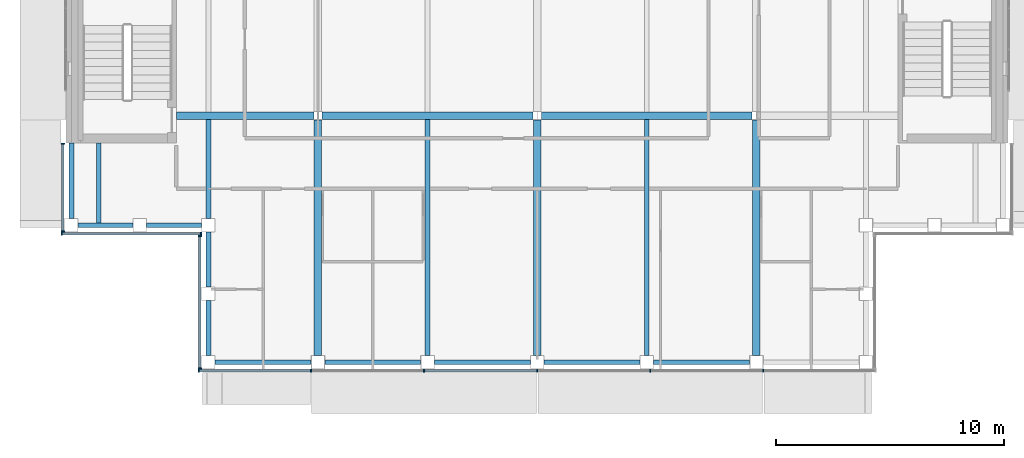
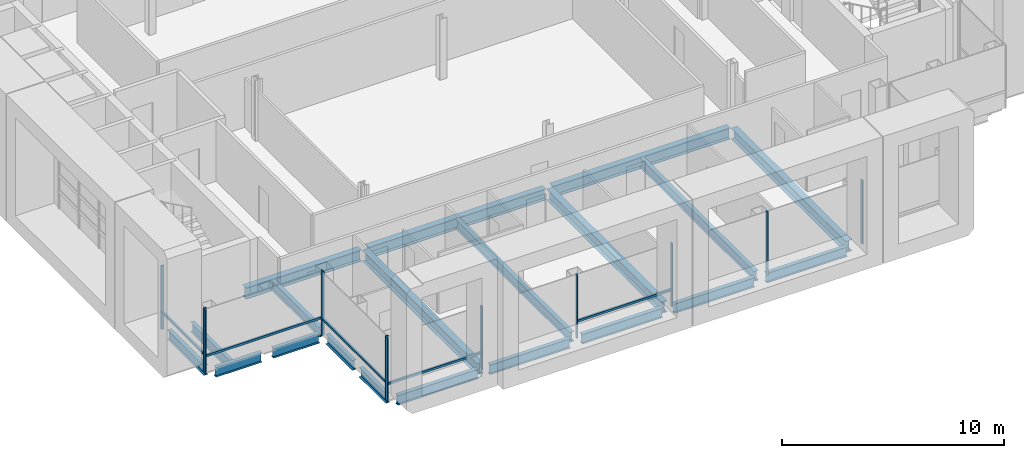
# One storey, part 3 of 21: 20 beams, 17 members, 4 elements without a shape of their own.
"""IFC4 building model written with IfcOpenShell, lengths in metres."""

import ifcopenshell
import ifcopenshell.guid

model = None  # the IFC model being written
_history = None  # IfcOwnerHistory: only IFC2X3 demands one
_inside = {}  # id of a spatial element -> (the spatial element, [elements in it])
_under = {}  # id of a project, library or spatial element -> (it, [spatial elements below it])
_declared = {}  # id of a project -> (the project, [libraries it declares])
_typed = {}  # id of a type object -> (the type object, [elements of that type])
_made_of = {}  # id of a material, layer set ... -> (it, [elements and type objects made of it])


def new_model(schema):
    """Start an empty IFC model of exactly this schema.

    Asked for "IFC4X3", IfcOpenShell would pick the latest addendum, in which some entities
    have other attributes; the version numbers below select the first issue.
    IFC2X3 requires an IfcOwnerHistory on every rooted entity: one is made here for all.
    """
    global model, _history
    if schema == "IFC4X3":
        model = ifcopenshell.file(schema_version=(4, 3, 0, 0))
    else:
        model = ifcopenshell.file(schema=schema)
    _inside.clear()
    _under.clear()
    _declared.clear()
    _typed.clear()
    _made_of.clear()
    _history = None
    if model.schema == "IFC2X3":
        org = make("IfcOrganization", Name="unknown")
        user = make(
            "IfcPersonAndOrganization",
            ThePerson=make("IfcPerson", FamilyName="unknown"),
            TheOrganization=org,
        )
        app = make(
            "IfcApplication",
            ApplicationDeveloper=org,
            Version="unknown",
            ApplicationFullName="unknown",
            ApplicationIdentifier="unknown",
        )
        _history = make(
            "IfcOwnerHistory",
            OwningUser=user,
            OwningApplication=app,
            ChangeAction="ADDED",
            CreationDate=0,
        )
    return model


def make(cls, **values):
    """One entity of the class cls with the attributes given. An attribute that is None is left unset."""
    return model.create_entity(
        cls, **{name: value for name, value in values.items() if value is not None}
    )


def rooted(cls, **values):
    """An entity with a GlobalId (a new one), such as an element, a storey or a relation."""
    return make(cls, GlobalId=ifcopenshell.guid.new(), OwnerHistory=_history, **values)


def si_unit(unit_type, name, prefix=None):
    """IfcSIUnit, for example si_unit("LENGTHUNIT", "METRE", prefix="MILLI")."""
    return make("IfcSIUnit", UnitType=unit_type, Prefix=prefix, Name=name)


def assignment(units):
    """IfcUnitAssignment: the units of a project."""
    return None if units is None else make("IfcUnitAssignment", Units=units)


def point(xyz):
    """IfcCartesianPoint."""
    return None if xyz is None else make("IfcCartesianPoint", Coordinates=xyz)


def direction(xyz):
    """IfcDirection."""
    return None if xyz is None else make("IfcDirection", DirectionRatios=xyz)


def frame(location, z_axis=None, x_axis=None):
    """IfcAxis2Placement3D, a coordinate frame: its origin and axes. An axis left out is left unset."""
    return make(
        "IfcAxis2Placement3D",
        Location=point(location),
        Axis=direction(z_axis),
        RefDirection=direction(x_axis),
    )


def frame_2d(location, x_axis=None):
    """IfcAxis2Placement2D, a coordinate frame in the plane: its origin and x axis."""
    return make(
        "IfcAxis2Placement2D", Location=point(location), RefDirection=direction(x_axis)
    )


def origin():
    """The frame at (0, 0, 0) with its axes left unset."""
    return frame((0.0, 0.0, 0.0))


def origin_2d():
    """The frame at (0, 0) in the plane with its x axis left unset."""
    return frame_2d((0.0, 0.0))


def place(relative_to, where):
    """IfcLocalPlacement: puts the frame where relative to a parent placement (None: the world)."""
    return make(
        "IfcLocalPlacement", PlacementRelTo=relative_to, RelativePlacement=where
    )


def context(
    kind, dimensions, precision=None, world=None, true_north=None, identifier=None
):
    """IfcGeometricRepresentationContext, for example the 3D "Model" context."""
    return make(
        "IfcGeometricRepresentationContext",
        ContextIdentifier=identifier,
        ContextType=kind,
        CoordinateSpaceDimension=dimensions,
        Precision=precision,
        WorldCoordinateSystem=world,
        TrueNorth=true_north,
    )


def subcontext(parent, identifier, kind, view, scale=None):
    """IfcGeometricRepresentationSubContext, for example "Body" below "Model"."""
    return make(
        "IfcGeometricRepresentationSubContext",
        ContextIdentifier=identifier,
        ContextType=kind,
        ParentContext=parent,
        TargetScale=scale,
        TargetView=view,
    )


def project(units=None, contexts=None):
    """IfcProject with its units and contexts."""
    return rooted(
        "IfcProject",
        Name="project",
        RepresentationContexts=contexts,
        UnitsInContext=assignment(units),
    )


def spatial(cls, under=None, at=None, **own):
    """A site, building, storey or space (cls), placed at a placement, below another one or the project."""
    s = rooted(cls, ObjectPlacement=at, **own)
    if under is not None:
        _under.setdefault(under.id(), (under, []))[1].append(s)
    return s


def profile(cls, at=None, kind="AREA", **sizes):
    """A parametric profile (cls). Its sizes go by their IFC names, for example OverallWidth=200.0."""
    return make(cls, ProfileType=kind, Position=at, **sizes)


def rectangle(**sizes):
    """IfcRectangleProfileDef."""
    return profile("IfcRectangleProfileDef", **sizes)


def i_section(**sizes):
    """IfcIShapeProfileDef."""
    return profile("IfcIShapeProfileDef", **sizes)


def extrude(swept, where, along, depth):
    """IfcExtrudedAreaSolid: the profile swept, set in the frame where, extruded along a direction by depth."""
    return make(
        "IfcExtrudedAreaSolid",
        SweptArea=swept,
        Position=where,
        ExtrudedDirection=direction(along),
        Depth=depth,
    )


def shape(context_of_items, identifier, shape_type, items):
    """IfcShapeRepresentation: the items that make up one representation, for example the "Body"."""
    return make(
        "IfcShapeRepresentation",
        ContextOfItems=context_of_items,
        RepresentationIdentifier=identifier,
        RepresentationType=shape_type,
        Items=items,
    )


def material(Name=None, Category=None):
    """IfcMaterial."""
    return make("IfcMaterial", Name=Name, Category=Category)


def material_profile(
    of_material, cross_section, Name=None, Category=None, Priority=None
):
    """IfcMaterialProfile: a cross section and its material."""
    return make(
        "IfcMaterialProfile",
        Name=Name,
        Material=of_material,
        Profile=cross_section,
        Priority=Priority,
        Category=Category,
    )


def profile_set(profiles, Name=None, composite=None):
    """IfcMaterialProfileSet."""
    return make(
        "IfcMaterialProfileSet",
        Name=Name,
        MaterialProfiles=profiles,
        CompositeProfile=composite,
    )


def made_of(thing, what):
    """Note that an element or type object is made of a material, layer set ...; save() writes the relation."""
    if what is not None:
        _made_of.setdefault(what.id(), (what, []))[1].append(thing)
    return thing


def type_object(cls, material=None, **own):
    """A type object (cls), such as IfcWallType, which elements share."""
    return made_of(rooted(cls, **own), material)


def element(
    cls,
    number,
    at=None,
    inside=None,
    cuts=None,
    type_object=None,
    material=None,
    context=None,
    identifier="Body",
    shape_type=None,
    held_by="IfcProductDefinitionShape",
    body=None,
    shapes=None,
    **own,
):
    """One element of the class cls, such as IfcWall. Its Tag is "e" and its number.

    at: its placement. inside: the storey or other place that contains it. cuts: it is an
    opening in that element (IfcRelVoidsElement). A single representation is given by context,
    identifier, shape_type and body (its items); several are given by shapes. held_by: the class
    of the entity that holds the representations. save() writes the other relations.
    """
    e = rooted(cls, Tag="e%d" % number, ObjectPlacement=at, **own)
    if body is not None:
        shapes = [shape(context, identifier, shape_type, body)]
    if shapes is not None:
        e.Representation = make(held_by, Representations=shapes)
    if inside is not None:
        _inside.setdefault(inside.id(), (inside, []))[1].append(e)
    if cuts is not None:
        rooted(
            "IfcRelVoidsElement", RelatingBuildingElement=cuts, RelatedOpeningElement=e
        )
    if type_object is not None:
        _typed.setdefault(type_object.id(), (type_object, []))[1].append(e)
    return made_of(e, material)


def aggregate(whole, parts):
    """IfcRelAggregates: a whole, such as a stair, and the parts it consists of."""
    return rooted("IfcRelAggregates", RelatingObject=whole, RelatedObjects=parts)


def save(model, path):
    """Write the relations noted so far, then the file.

    IfcRelAggregates (storeys below a building ...), IfcRelContainedInSpatialStructure (elements
    in a storey), IfcRelDefinesByType, IfcRelAssociatesMaterial and IfcRelDeclares: one each for
    every whole, place, type object, material and project.
    """
    for whole, parts in _under.values():
        aggregate(whole, parts)
    for where, things in _inside.values():
        rooted(
            "IfcRelContainedInSpatialStructure",
            RelatedElements=things,
            RelatingStructure=where,
        )
    for kind, things in _typed.values():
        rooted("IfcRelDefinesByType", RelatedObjects=things, RelatingType=kind)
    for what, things in _made_of.values():
        rooted("IfcRelAssociatesMaterial", RelatedObjects=things, RelatingMaterial=what)
    for by, libraries in _declared.values():
        rooted("IfcRelDeclares", RelatingContext=by, RelatedDefinitions=libraries)
    model.write(path)


model = new_model("IFC4")

# Units and contexts
model_context = context("Model", 3, precision=1e-05, world=origin(), true_north=direction((0.0, 1.0)))
body_context = subcontext(model_context, "Body", "Model", "MODEL_VIEW")
ifc_project = project(units=[si_unit("LENGTHUNIT", "METRE"), si_unit("AREAUNIT", "SQUARE_METRE"), si_unit("VOLUMEUNIT", "CUBIC_METRE"), si_unit("PLANEANGLEUNIT", "RADIAN"), si_unit("MASSUNIT", "GRAM", prefix="KILO")], contexts=[model_context])

# Site, building, storey
site_placement = place(None, origin())
site = spatial("IfcSite", under=ifc_project, at=site_placement, CompositionType="ELEMENT")
building_placement = place(site_placement, origin())
building = spatial("IfcBuilding", under=site, at=building_placement, Name="Cobrizo Arcos Hotel Tower", CompositionType="ELEMENT")
storey_placement = place(building_placement, frame((0.0, 0.0, 248.0)))
storey = spatial("IfcBuildingStorey", under=building, at=storey_placement, Name="L65", CompositionType="ELEMENT", Elevation=248.0)

# Curtain wall, members
ifc_material_1 = material(Name="Aluminium 6063-T6 anodised bronze", Category="aluminium")
curtain_wall_type = type_object("IfcCurtainWallType", Name="CW-A guest facade", PredefinedType="NOTDEFINED", material=ifc_material_1)
curtain_wall_1_placement = place(storey_placement, origin())
curtain_wall_1 = element("IfcCurtainWall", 1, at=curtain_wall_1_placement, inside=storey, type_object=curtain_wall_type, Name="CW-A L65 S face", PredefinedType="NOTDEFINED")
ifc_material_profile_1 = material_profile(ifc_material_1, rectangle(XDim=0.14990234375, YDim=0.06005859375, at=origin_2d()), Name="CW-A mullion 150x60")
ifc_profile_set_1 = profile_set([ifc_material_profile_1], Name="Aluminium 6063-T6 anodised bronze")
member_type_1 = type_object("IfcMemberType", Name="CW-A mullion 150x60", PredefinedType="MULLION", material=ifc_profile_set_1)
member_1_placement = place(storey_placement, frame((-14.820068359375, -20.77490234375, 0.0), z_axis=(0.0, 0.0, 1.0), x_axis=(0.0, -1.0, 0.0)))
member_1 = element("IfcMember", 2, at=member_1_placement, type_object=member_type_1, Name="CW-A mullion 1", PredefinedType="MULLION", context=body_context, shape_type="SweptSolid", body=[
    extrude(rectangle(XDim=0.14990234375, YDim=0.06005859375, at=origin_2d()), origin(), (0.0, 0.0, 1.0), 3.5),
])
member_2_placement = place(storey_placement, frame((-9.89990234375, -20.77490234375, 0.0), z_axis=(0.0, 0.0, 1.0), x_axis=(0.0, -1.0, 0.0)))
member_2 = element("IfcMember", 3, at=member_2_placement, type_object=member_type_1, Name="CW-A mullion 2", PredefinedType="MULLION", context=body_context, shape_type="SweptSolid", body=[
    extrude(rectangle(XDim=0.14990234375, YDim=0.06005859375, at=origin_2d()), origin(), (0.0, 0.0, 1.0), 3.5),
])
member_3_placement = place(storey_placement, frame((-4.949951171875, -20.77490234375, 0.0), z_axis=(0.0, 0.0, 1.0), x_axis=(0.0, -1.0, 0.0)))
member_3 = element("IfcMember", 4, at=member_3_placement, type_object=member_type_1, Name="CW-A mullion 3", PredefinedType="MULLION", context=body_context, shape_type="SweptSolid", body=[
    extrude(rectangle(XDim=0.14990234375, YDim=0.06005859375, at=origin_2d()), origin(), (0.0, 0.0, 1.0), 3.5),
])
member_4_placement = place(storey_placement, frame((0.0, -20.77490234375, 0.0), z_axis=(0.0, 0.0, 1.0), x_axis=(0.0, -1.0, 0.0)))
member_4 = element("IfcMember", 5, at=member_4_placement, type_object=member_type_1, Name="CW-A mullion 4", PredefinedType="MULLION", context=body_context, shape_type="SweptSolid", body=[
    extrude(rectangle(XDim=0.14990234375, YDim=0.06005859375, at=origin_2d()), origin(), (0.0, 0.0, 1.0), 3.5),
])
member_5_placement = place(storey_placement, frame((4.949951171875, -20.77490234375, 0.0), z_axis=(0.0, 0.0, 1.0), x_axis=(0.0, -1.0, 0.0)))
member_5 = element("IfcMember", 6, at=member_5_placement, type_object=member_type_1, Name="CW-A mullion 5", PredefinedType="MULLION", context=body_context, shape_type="SweptSolid", body=[
    extrude(rectangle(XDim=0.14990234375, YDim=0.06005859375, at=origin_2d()), origin(), (0.0, 0.0, 1.0), 3.5),
])
member_6_placement = place(storey_placement, frame((9.89990234375, -20.77490234375, 0.0), z_axis=(0.0, 0.0, 1.0), x_axis=(0.0, -1.0, 0.0)))
member_6 = element("IfcMember", 7, at=member_6_placement, type_object=member_type_1, Name="CW-A mullion 6", PredefinedType="MULLION", context=body_context, shape_type="SweptSolid", body=[
    extrude(rectangle(XDim=0.14990234375, YDim=0.06005859375, at=origin_2d()), origin(), (0.0, 0.0, 1.0), 3.5),
])

curtain_wall_2_placement = place(storey_placement, origin())
curtain_wall_2 = element("IfcCurtainWall", 8, at=curtain_wall_2_placement, inside=storey, type_object=curtain_wall_type, Name="CW-A L65 W face", PredefinedType="NOTDEFINED")
member_7_placement = place(storey_placement, frame((-20.77490234375, -10.830078125, 0.0), z_axis=(0.0, 0.0, 1.0), x_axis=(-1.0, 0.0, 0.0)))
member_7 = element("IfcMember", 9, at=member_7_placement, type_object=member_type_1, Name="CW-A mullion 1", PredefinedType="MULLION", context=body_context, shape_type="SweptSolid", body=[
    extrude(rectangle(XDim=0.14990234375, YDim=0.06005859375, at=origin_2d()), origin(), (0.0, 0.0, 1.0), 3.5),
])
member_8_placement = place(storey_placement, frame((-20.77490234375, -14.669921875, 0.0), z_axis=(0.0, 0.0, 1.0), x_axis=(-1.0, 0.0, 0.0)))
member_8 = element("IfcMember", 10, at=member_8_placement, type_object=member_type_1, Name="CW-A mullion 2", PredefinedType="MULLION", context=body_context, shape_type="SweptSolid", body=[
    extrude(rectangle(XDim=0.14990234375, YDim=0.06005859375, at=origin_2d()), origin(), (0.0, 0.0, 1.0), 3.5),
])

curtain_wall_3_placement = place(storey_placement, origin())
curtain_wall_3 = element("IfcCurtainWall", 11, at=curtain_wall_3_placement, inside=storey, type_object=curtain_wall_type, Name="CW-A L65 S face", PredefinedType="NOTDEFINED")
member_9_placement = place(storey_placement, frame((-20.820068359375, -14.77490234375, 0.0), z_axis=(0.0, 0.0, 1.0), x_axis=(0.0, -1.0, 0.0)))
member_9 = element("IfcMember", 12, at=member_9_placement, type_object=member_type_1, Name="CW-A mullion 1", PredefinedType="MULLION", context=body_context, shape_type="SweptSolid", body=[
    extrude(rectangle(XDim=0.14990234375, YDim=0.06005859375, at=origin_2d()), origin(), (0.0, 0.0, 1.0), 3.5),
])
member_10_placement = place(storey_placement, frame((-14.72998046875, -14.77490234375, 0.0), z_axis=(0.0, 0.0, 1.0), x_axis=(0.0, -1.0, 0.0)))
member_10 = element("IfcMember", 13, at=member_10_placement, type_object=member_type_1, Name="CW-A mullion 2", PredefinedType="MULLION", context=body_context, shape_type="SweptSolid", body=[
    extrude(rectangle(XDim=0.14990234375, YDim=0.06005859375, at=origin_2d()), origin(), (0.0, 0.0, 1.0), 3.5),
])

curtain_wall_4_placement = place(storey_placement, origin())
curtain_wall_4 = element("IfcCurtainWall", 14, at=curtain_wall_4_placement, inside=storey, type_object=curtain_wall_type, Name="CW-A L65 W face", PredefinedType="NOTDEFINED")
member_11_placement = place(storey_placement, frame((-14.77490234375, -14.8798828125, 0.0), z_axis=(0.0, 0.0, 1.0), x_axis=(-1.0, 0.0, 0.0)))
member_11 = element("IfcMember", 15, at=member_11_placement, type_object=member_type_1, Name="CW-A mullion 1", PredefinedType="MULLION", context=body_context, shape_type="SweptSolid", body=[
    extrude(rectangle(XDim=0.14990234375, YDim=0.06005859375, at=origin_2d()), origin(), (0.0, 0.0, 1.0), 3.5),
])
member_12_placement = place(storey_placement, frame((-14.77490234375, -20.669921875, 0.0), z_axis=(0.0, 0.0, 1.0), x_axis=(-1.0, 0.0, 0.0)))
member_12 = element("IfcMember", 16, at=member_12_placement, type_object=member_type_1, Name="CW-A mullion 2", PredefinedType="MULLION", context=body_context, shape_type="SweptSolid", body=[
    extrude(rectangle(XDim=0.14990234375, YDim=0.06005859375, at=origin_2d()), origin(), (0.0, 0.0, 1.0), 3.5),
])

# Member
ifc_material_profile_2 = material_profile(ifc_material_1, rectangle(XDim=0.10009765625, YDim=0.1201171875, at=origin_2d()), Name="CW-A transom 120x100")
ifc_profile_set_2 = profile_set([ifc_material_profile_2], Name="Aluminium 6063-T6 anodised bronze")
member_type_2 = type_object("IfcMemberType", Name="CW-A transom 120x100", PredefinedType="USERDEFINED", material=ifc_profile_set_2)
member_13_placement = place(storey_placement, frame((-14.7900390625, -20.77490234375, 0.929931640625), z_axis=(1.0, 0.0, 0.0), x_axis=(0.0, 1.0, 0.0)))
member_13 = element("IfcMember", 17, at=member_13_placement, type_object=member_type_2, Name="CW-A transom 2060", ObjectType="TRANSOM", PredefinedType="USERDEFINED", context=body_context, shape_type="SweptSolid", body=[
    extrude(rectangle(XDim=0.10009765625, YDim=0.1201171875, at=origin_2d()), origin(), (0.0, 0.0, 1.0), 4.860107421875),
])

member_14_placement = place(storey_placement, frame((-4.919921875, -20.77490234375, 0.929931640625), z_axis=(1.0, 0.0, 0.0), x_axis=(0.0, 1.0, 0.0)))
member_14 = element("IfcMember", 18, at=member_14_placement, type_object=member_type_2, Name="CW-A transom 2062", ObjectType="TRANSOM", PredefinedType="USERDEFINED", context=body_context, shape_type="SweptSolid", body=[
    extrude(rectangle(XDim=0.10009765625, YDim=0.1201171875, at=origin_2d()), origin(), (0.0, 0.0, 1.0), 4.889892578125),
])

aggregate(curtain_wall_1, [member_1, member_2, member_3, member_4, member_5, member_6, member_13, member_14])

member_15_placement = place(storey_placement, frame((-20.77490234375, -10.860107421875, 0.929931640625), z_axis=(0.0, -1.0, 0.0), x_axis=(1.0, 0.0, 0.0)))
member_15 = element("IfcMember", 19, at=member_15_placement, type_object=member_type_2, Name="CW-A transom 2081", ObjectType="TRANSOM", PredefinedType="USERDEFINED", context=body_context, shape_type="SweptSolid", body=[
    extrude(rectangle(XDim=0.10009765625, YDim=0.1201171875, at=origin_2d()), origin(), (0.0, 0.0, 1.0), 3.77978515625),
])

aggregate(curtain_wall_2, [member_7, member_8, member_15])

member_16_placement = place(storey_placement, frame((-20.7900390625, -14.77490234375, 0.929931640625), z_axis=(1.0, 0.0, 0.0), x_axis=(0.0, 1.0, 0.0)))
member_16 = element("IfcMember", 20, at=member_16_placement, type_object=member_type_2, Name="CW-A transom 2082", ObjectType="TRANSOM", PredefinedType="USERDEFINED", context=body_context, shape_type="SweptSolid", body=[
    extrude(rectangle(XDim=0.10009765625, YDim=0.1201171875, at=origin_2d()), origin(), (0.0, 0.0, 1.0), 6.030029296875),
])

aggregate(curtain_wall_3, [member_9, member_10, member_16])

member_17_placement = place(storey_placement, frame((-14.77490234375, -14.909912109375, 0.929931640625), z_axis=(0.0, -1.0, 0.0), x_axis=(1.0, 0.0, 0.0)))
member_17 = element("IfcMember", 21, at=member_17_placement, type_object=member_type_2, Name="CW-A transom 2083", ObjectType="TRANSOM", PredefinedType="USERDEFINED", context=body_context, shape_type="SweptSolid", body=[
    extrude(rectangle(XDim=0.10009765625, YDim=0.1201171875, at=origin_2d()), origin(), (0.0, 0.0, 1.0), 5.72998046875),
])

aggregate(curtain_wall_4, [member_11, member_12, member_17])

# Beams
ifc_material_2 = material(Name="Steel ASTM A992 Grade 50", Category="steel")
ifc_material_profile_3 = material_profile(ifc_material_2, i_section(OverallWidth=0.209228515625, OverallDepth=0.533447265625, WebThickness=0.01025390625, FlangeThickness=0.015625, at=origin_2d()), Name="W21X62")
ifc_profile_set_3 = profile_set([ifc_material_profile_3], Name="Steel ASTM A992 Grade 50")
beam_type_1 = type_object("IfcBeamType", Name="W21X62 joist", PredefinedType="JOIST", material=ifc_profile_set_3)
beam_1_placement = place(storey_placement, frame((-19.199951171875, -14.31005859375, -0.416748046875), z_axis=(0.0, 1.0, 0.0), x_axis=(-1.0, 0.0, 0.0)))
element("IfcBeam", 22, at=beam_1_placement, inside=storey, type_object=beam_type_1, Name="Floor joist J1, L65, no. 001", PredefinedType="JOIST", context=body_context, shape_type="SweptSolid", body=[
    extrude(i_section(OverallWidth=0.209228515625, OverallDepth=0.533447265625, WebThickness=0.01025390625, FlangeThickness=0.015625, at=origin_2d()), origin(), (0.0, 0.0, 1.0), 3.5),
])
beam_2_placement = place(storey_placement, frame((-14.39990234375, -14.10009765625, -0.416748046875), z_axis=(0.0, 1.0, 0.0), x_axis=(-1.0, 0.0, 0.0)))
element("IfcBeam", 23, at=beam_2_placement, inside=storey, type_object=beam_type_1, Name="Floor joist J1, L65, no. 003", PredefinedType="JOIST", context=body_context, shape_type="SweptSolid", body=[
    extrude(i_section(OverallWidth=0.209228515625, OverallDepth=0.533447265625, WebThickness=0.01025390625, FlangeThickness=0.015625, at=origin_2d()), origin(), (0.0, 0.0, 1.0), 4.336181640625),
])
for number, where, z_axis, x_axis, name in (
    (24, (-4.800048828125, -20.10009765625, -0.416748046875), (0.0, 1.0, 0.0), (-1.0, 0.0, 0.0), "Floor joist J1, L65, no. 007"),
    (25, (4.800048828125, -20.10009765625, -0.416748046875), (0.0, 1.0, 0.0), (-1.0, 0.0, 0.0), "Floor joist J1, L65, no. 011"),
):
    element("IfcBeam", number, at=place(storey_placement, frame(where, z_axis=z_axis, x_axis=x_axis)), inside=storey, type_object=beam_type_1, Name=name, PredefinedType="JOIST", context=body_context, shape_type="SweptSolid", body=[
        extrude(i_section(OverallWidth=0.209228515625, OverallDepth=0.533447265625, WebThickness=0.01025390625, FlangeThickness=0.015625, at=origin_2d()), origin(), (0.0, 0.0, 1.0), 10.336181640625),
    ])
ifc_material_profile_4 = material_profile(ifc_material_2, i_section(OverallWidth=0.209228515625, OverallDepth=0.533447265625, WebThickness=0.01025390625, FlangeThickness=0.015625, at=origin_2d()), Name="W21X62")
ifc_profile_set_4 = profile_set([ifc_material_profile_4], Name="Steel ASTM A992 Grade 50")
beam_type_2 = type_object("IfcBeamType", Name="W21X62 spandrel", PredefinedType="SPANDREL", material=ifc_profile_set_4)
beam_3_placement = place(storey_placement, frame((-14.10009765625, -20.39990234375, -0.416748046875), z_axis=(1.0, 0.0, 0.0), x_axis=(0.0, 1.0, 0.0)))
element("IfcBeam", 26, at=beam_3_placement, inside=storey, type_object=beam_type_2, Name="Spandrel beam W21X62, L65, no. 001", PredefinedType="SPANDREL", context=body_context, shape_type="SweptSolid", body=[
    extrude(i_section(OverallWidth=0.209228515625, OverallDepth=0.533447265625, WebThickness=0.01025390625, FlangeThickness=0.015625, at=origin_2d()), origin(), (0.0, 0.0, 1.0), 4.2001953125),
])
for number, where, z_axis, x_axis, name in (
    (27, (-9.300048828125, -20.39990234375, -0.416748046875), (1.0, 0.0, 0.0), (0.0, 1.0, 0.0), "Spandrel beam W21X62, L65, no. 002"),
    (28, (-4.5, -20.39990234375, -0.416748046875), (1.0, 0.0, 0.0), (0.0, 1.0, 0.0), "Spandrel beam W21X62, L65, no. 003"),
    (29, (0.300048828125, -20.39990234375, -0.416748046875), (1.0, 0.0, 0.0), (0.0, 1.0, 0.0), "Spandrel beam W21X62, L65, no. 004"),
    (30, (5.10009765625, -20.39990234375, -0.416748046875), (1.0, 0.0, 0.0), (0.0, 1.0, 0.0), "Spandrel beam W21X62, L65, no. 005"),
):
    element("IfcBeam", number, at=place(storey_placement, frame(where, z_axis=z_axis, x_axis=x_axis)), inside=storey, type_object=beam_type_2, Name=name, PredefinedType="SPANDREL", context=body_context, shape_type="SweptSolid", body=[
        extrude(i_section(OverallWidth=0.209228515625, OverallDepth=0.533447265625, WebThickness=0.01025390625, FlangeThickness=0.015625, at=origin_2d()), origin(), (0.0, 0.0, 1.0), 4.199951171875),
    ])
beam_4_placement = place(storey_placement, frame((-20.39990234375, -10.81005859375, -0.416748046875), z_axis=(0.0, -1.0, 0.0), x_axis=(1.0, 0.0, 0.0)))
element("IfcBeam", 31, at=beam_4_placement, inside=storey, type_object=beam_type_2, Name="Spandrel beam W21X62, L65, no. 028", PredefinedType="SPANDREL", context=body_context, shape_type="SweptSolid", body=[
    extrude(i_section(OverallWidth=0.209228515625, OverallDepth=0.533447265625, WebThickness=0.01025390625, FlangeThickness=0.015625, at=origin_2d()), origin(), (0.0, 0.0, 1.0), 3.2900390625),
])
for number, where, z_axis, x_axis, name in (
    (32, (-20.10009765625, -14.39990234375, -0.416748046875), (1.0, 0.0, 0.0), (0.0, 1.0, 0.0), "Spandrel beam W21X62, L65, no. 029"),
    (33, (-17.10009765625, -14.39990234375, -0.416748046875), (1.0, 0.0, 0.0), (0.0, 1.0, 0.0), "Spandrel beam W21X62, L65, no. 030"),
    (34, (-14.39990234375, -14.699951171875, -0.416748046875), (0.0, -1.0, 0.0), (1.0, 0.0, 0.0), "Spandrel beam W21X62, L65, no. 031"),
    (35, (-14.39990234375, -17.699951171875, -0.416748046875), (0.0, -1.0, 0.0), (1.0, 0.0, 0.0), "Spandrel beam W21X62, L65, no. 032"),
):
    element("IfcBeam", number, at=place(storey_placement, frame(where, z_axis=z_axis, x_axis=x_axis)), inside=storey, type_object=beam_type_2, Name=name, PredefinedType="SPANDREL", context=body_context, shape_type="SweptSolid", body=[
        extrude(i_section(OverallWidth=0.209228515625, OverallDepth=0.533447265625, WebThickness=0.01025390625, FlangeThickness=0.015625, at=origin_2d()), origin(), (0.0, 0.0, 1.0), 2.400146484375),
    ])
ifc_material_profile_5 = material_profile(ifc_material_2, i_section(OverallWidth=0.32763671875, OverallDepth=0.622314453125, WebThickness=0.015380859375, FlangeThickness=0.0244140625, at=origin_2d()), Name="W24X131")
ifc_profile_set_5 = profile_set([ifc_material_profile_5], Name="Steel ASTM A992 Grade 50")
beam_type_3 = type_object("IfcBeamType", Name="W24X131 girder", PredefinedType="BEAM", material=ifc_profile_set_5)
beam_5_placement = place(storey_placement, frame((-15.7900390625, -9.60009765625, -0.461181640625), z_axis=(1.0, 0.0, 0.0), x_axis=(0.0, 1.0, 0.0)))
element("IfcBeam", 36, at=beam_5_placement, inside=storey, type_object=beam_type_3, Name="Floor girder G1, L65, no. 001", PredefinedType="BEAM", context=body_context, shape_type="SweptSolid", body=[
    extrude(i_section(OverallWidth=0.32763671875, OverallDepth=0.622314453125, WebThickness=0.015380859375, FlangeThickness=0.0244140625, at=origin_2d()), origin(), (0.0, 0.0, 1.0), 6.005859375),
])
for number, where, z_axis, x_axis, name in (
    (37, (-9.415771484375, -9.60009765625, -0.461181640625), (1.0, 0.0, 0.0), (0.0, 1.0, 0.0), "Floor girder G1, L65, no. 002"),
    (38, (0.18408203125, -9.60009765625, -0.461181640625), (1.0, 0.0, 0.0), (0.0, 1.0, 0.0), "Floor girder G1, L65, no. 003"),
):
    element("IfcBeam", number, at=place(storey_placement, frame(where, z_axis=z_axis, x_axis=x_axis)), inside=storey, type_object=beam_type_3, Name=name, PredefinedType="BEAM", context=body_context, shape_type="SweptSolid", body=[
        extrude(i_section(OverallWidth=0.32763671875, OverallDepth=0.622314453125, WebThickness=0.015380859375, FlangeThickness=0.0244140625, at=origin_2d()), origin(), (0.0, 0.0, 1.0), 9.231689453125),
    ])
for number, where, z_axis, x_axis, name in (
    (39, (-9.60009765625, -20.10009765625, -0.461181640625), (0.0, 1.0, 0.0), (-1.0, 0.0, 0.0), "Floor girder G1, L65, no. 013"),
    (40, (0.0, -20.10009765625, -0.461181640625), (0.0, 1.0, 0.0), (-1.0, 0.0, 0.0), "Floor girder G1, L65, no. 017"),
    (41, (9.60009765625, -20.10009765625, -0.461181640625), (0.0, 1.0, 0.0), (-1.0, 0.0, 0.0), "Floor girder G1, L65, no. 021"),
):
    element("IfcBeam", number, at=place(storey_placement, frame(where, z_axis=z_axis, x_axis=x_axis)), inside=storey, type_object=beam_type_3, Name=name, PredefinedType="BEAM", context=body_context, shape_type="SweptSolid", body=[
        extrude(i_section(OverallWidth=0.32763671875, OverallDepth=0.622314453125, WebThickness=0.015380859375, FlangeThickness=0.0244140625, at=origin_2d()), origin(), (0.0, 0.0, 1.0), 10.31591796875),
    ])

save(model, "model.ifc")
